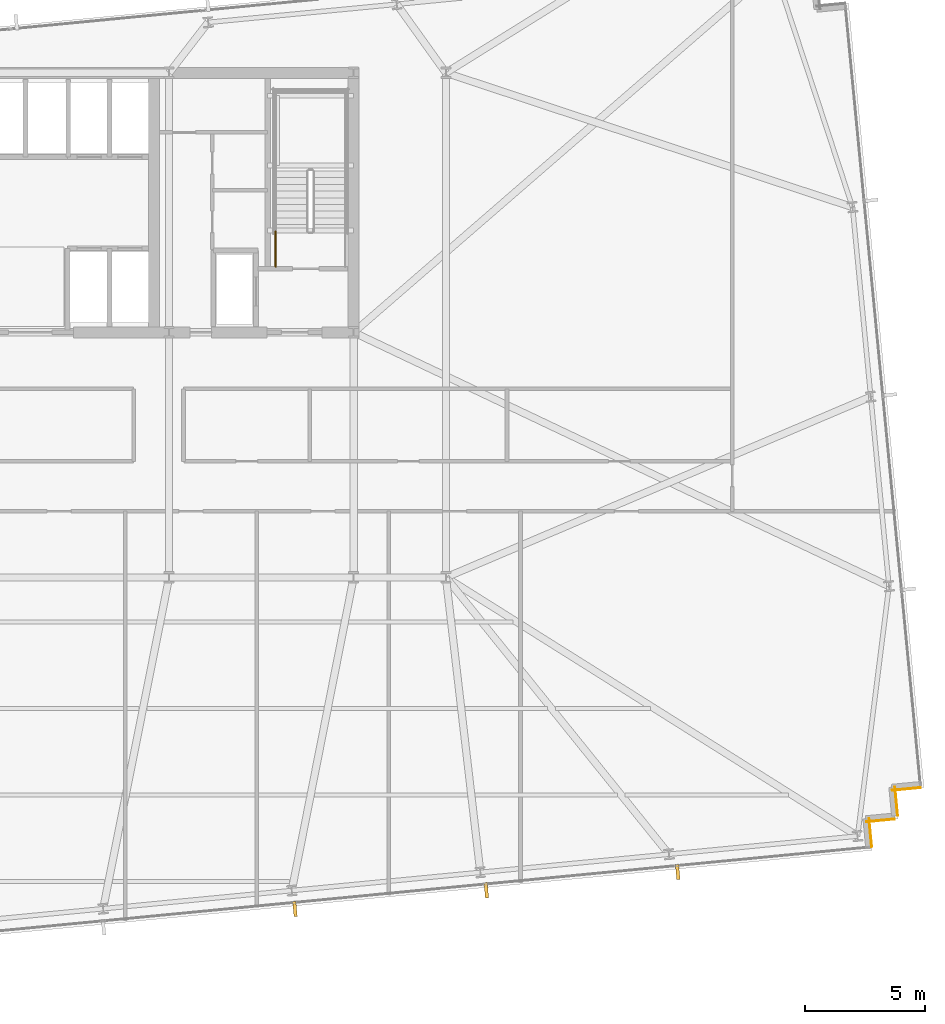
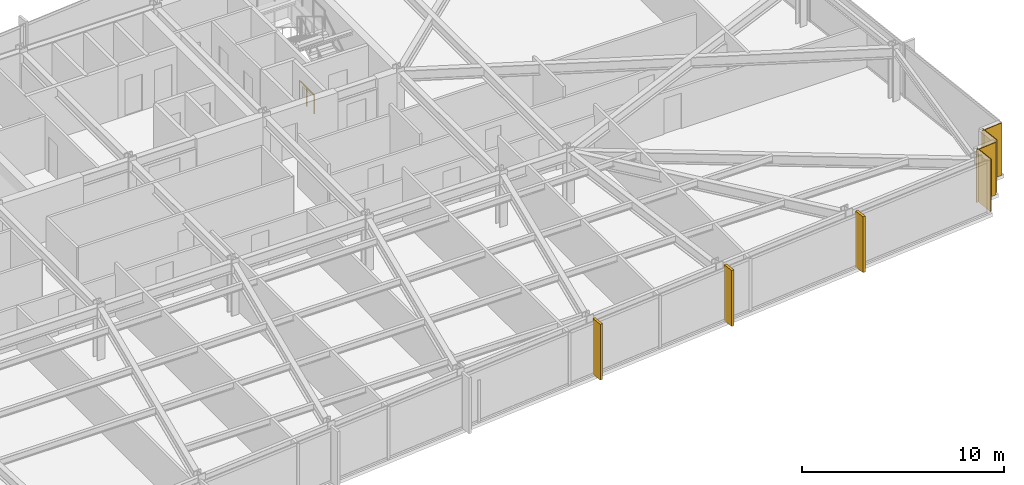
# One storey, part 29 of 32: 4 coverings, 3 shading devices, 1 railing.
"""IFC4 building model written with IfcOpenShell, lengths in metres."""

from ifc_helpers import new_model, si_unit, direction, frame, frame_2d, origin, origin_2d, place, context, subcontext, project, spatial, rectangle, circle, extrude, material, layer, layer_set, type_object, element, save


model = new_model("IFC4")

# Units and contexts
model_context = context("Model", 3, precision=1e-05, world=origin(), true_north=direction((0.0, 1.0)))
body_context = subcontext(model_context, "Body", "Model", "MODEL_VIEW")
ifc_project = project(units=[si_unit("LENGTHUNIT", "METRE"), si_unit("AREAUNIT", "SQUARE_METRE"), si_unit("VOLUMEUNIT", "CUBIC_METRE"), si_unit("PLANEANGLEUNIT", "RADIAN"), si_unit("MASSUNIT", "GRAM", prefix="KILO")], contexts=[model_context])

# Site, building, storey
site_placement = place(None, origin())
site = spatial("IfcSite", under=ifc_project, at=site_placement, CompositionType="ELEMENT")
building_placement = place(site_placement, origin())
building = spatial("IfcBuilding", under=site, at=building_placement, Name="Yelkora Congress Tower", CompositionType="ELEMENT")
storey_placement = place(building_placement, frame((0.0, 0.0, 130.5)))
storey = spatial("IfcBuildingStorey", under=building, at=storey_placement, Name="L35", CompositionType="ELEMENT", Elevation=130.5)

# Coverings
ifc_material_1 = material(Name="Anatolian bush-hammered limestone", Category="masonry")
ifc_layer_1 = layer(ifc_material_1, 0.0400390625)
ifc_layer_set_1 = layer_set([ifc_layer_1], Name="Anatolian bush-hammered limestone")
covering_type = type_object("IfcCoveringType", Name="COV-CLAD-SPANDREL-40", PredefinedType="CLADDING", material=ifc_layer_set_1)
for number, where, z_axis, x_axis, name in (
    (1, (77.360595703125, 16.451416015625, 0.0), (0.0, 0.0, 1.0), (-0.995377661201, -0.096038073607, 0.0), "L35 Anatolian Limestone Cladding EW-L35-SR16"),
    (2, (76.28759765625, 16.483642578125, 0.0), (0.0, 0.0, 1.0), (0.095836473879, -0.995397091755, 0.0), "L35 Anatolian Limestone Cladding EW-L35-SR17"),
    (3, (76.28125, 15.141845703125, 0.0), (0.0, 0.0, 1.0), (-0.995397091755, -0.095836473879, 0.0), "L35 Anatolian Limestone Cladding EW-L35-SR18"),
):
    element("IfcCovering", number, at=place(storey_placement, frame(where, z_axis=z_axis, x_axis=x_axis)), inside=storey, type_object=covering_type, Name=name, PredefinedType="CLADDING", context=body_context, shape_type="SweptSolid", body=[
        extrude(rectangle(XDim=1.199951171875, YDim=0.0400390625, at=frame_2d((0.60009765625, 0.0))), origin(), (0.0, 0.0, 1.0), 3.179931640625),
    ])
covering_placement = place(storey_placement, frame((75.208251953125, 15.17431640625, 0.0), z_axis=(0.0, 0.0, 1.0), x_axis=(0.095817067274, -0.995398960025, 0.0)))
element("IfcCovering", 4, at=covering_placement, inside=storey, type_object=covering_type, Name="L35 Anatolian Limestone Cladding EW-L35-SR19", PredefinedType="CLADDING", context=body_context, shape_type="SweptSolid", body=[
    extrude(rectangle(XDim=1.2001953125, YDim=0.0400390625, at=frame_2d((0.60009765625, 0.0))), origin(), (0.0, 0.0, 1.0), 3.179931640625),
])

# Railing
ifc_material_2 = material(Name="Painted galvanised steel stair well guard with vertical infill", Category="steel")
ifc_layer_2 = layer(ifc_material_2, 0.06005859375)
ifc_layer_set_2 = layer_set([ifc_layer_2], Name="Painted galvanised steel stair well guard with vertical infill")
railing_type = type_object("IfcRailingType", Name="RAIL-STAIR-GUARD-1120", PredefinedType="GUARDRAIL", material=ifc_layer_set_2)
railing_placement = place(storey_placement, frame((50.510009765625, 38.1201171875, 0.0)))
element("IfcRailing", 5, at=railing_placement, inside=storey, type_object=railing_type, Name="ST-02 L35 Stair Well Guardrail 9", PredefinedType="GUARDRAIL", context=body_context, shape_type="SweptSolid", body=[
    extrude(circle(Radius=0.02392578125, at=origin_2d()), frame((0.0, 0.0, 1.09619140625), z_axis=(0.0, 1.0, 0.0), x_axis=(-1.0, 0.0, 0.0)), (0.0, 0.0, 1.0), 1.47998046875),
    extrude(circle(Radius=0.02099609375, at=origin_2d()), origin(), (0.0, 0.0, 1.0), 1.072021484375),
    extrude(circle(Radius=0.02099609375, at=origin_2d()), frame((0.0, 0.739990234375, 0.0)), (0.0, 0.0, 1.0), 1.072021484375),
    extrude(circle(Radius=0.02099609375, at=origin_2d()), frame((0.0, 1.47998046875, 0.0)), (0.0, 0.0, 1.0), 1.072021484375),
])

# Shading devices
ifc_material_3 = material(Name="Champagne anodised aluminium", Category="aluminium")
ifc_layer_3 = layer(ifc_material_3, 3.39990234375)
ifc_layer_set_3 = layer_set([ifc_layer_3], Name="Champagne anodised aluminium")
shading_device_type = type_object("IfcShadingDeviceType", Name="SHD-FIN-ALU-640", PredefinedType="USERDEFINED", material=ifc_layer_set_3)
for number, where, z_axis, x_axis, name in (
    (6, (67.247802734375, 12.94091796875, -0.030029296875), (0.0, 0.0, 1.0), (-0.995396198367, -0.09584575252, 0.0), "L35 Vertical Anodised Solar Fin 20-1"),
    (7, (59.28173828125, 12.173828125, -0.030029296875), (0.0, 0.0, 1.0), (-0.995396198367, -0.09584575252, 0.0), "L35 Vertical Anodised Solar Fin 20-2"),
    (8, (51.315673828125, 11.40673828125, -0.030029296875), (0.0, 0.0, 1.0), (-0.995396198367, -0.09584575252, 0.0), "L35 Vertical Anodised Solar Fin 20-3"),
):
    element("IfcShadingDevice", number, at=place(storey_placement, frame(where, z_axis=z_axis, x_axis=x_axis)), inside=storey, type_object=shading_device_type, Name=name, ObjectType="FIN", PredefinedType="USERDEFINED", context=body_context, shape_type="SweptSolid", body=[
        extrude(rectangle(XDim=0.139892578125, YDim=0.639892578125, at=origin_2d()), origin(), (0.0, 0.0, 1.0), 3.3798828125),
    ])

save(model, "model.ifc")
